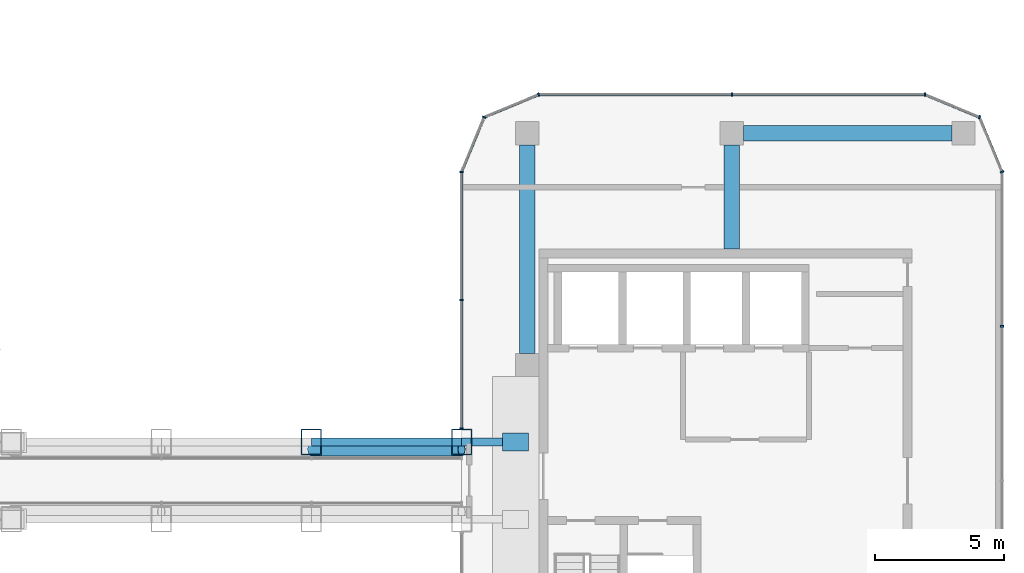
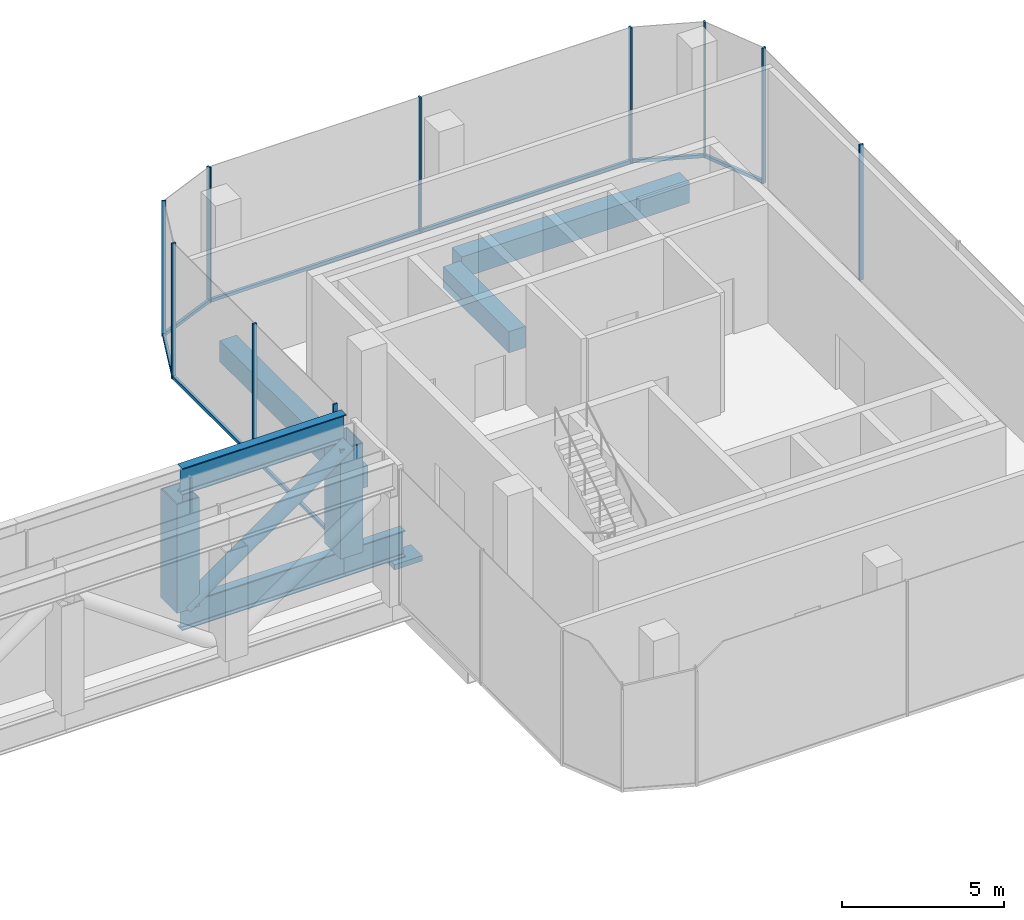
# One storey, part 12 of 23: 23 members, 3 beams, 7 elements without a shape of their own.
"""IFC4 building model written with IfcOpenShell, lengths in metres."""

from ifc_helpers import new_model, si_unit, direction, frame, origin, origin_2d, place, context, subcontext, project, spatial, rectangle, hollow_rectangle, hollow_circle, i_section, extrude, material, layer, layer_set, material_profile, profile_set, type_object, element, aggregate, save


model = new_model("IFC4")

# Units and contexts
model_context = context("Model", 3, precision=1e-05, world=origin(), true_north=direction((0.0, 1.0)))
body_context = subcontext(model_context, "Body", "Model", "MODEL_VIEW")
ifc_project = project(units=[si_unit("LENGTHUNIT", "METRE"), si_unit("AREAUNIT", "SQUARE_METRE"), si_unit("VOLUMEUNIT", "CUBIC_METRE"), si_unit("PLANEANGLEUNIT", "RADIAN"), si_unit("MASSUNIT", "GRAM", prefix="KILO")], contexts=[model_context])

# Site, building, storey
site_placement = place(None, origin())
site = spatial("IfcSite", under=ifc_project, at=site_placement, CompositionType="ELEMENT")
building_placement = place(site_placement, origin())
building = spatial("IfcBuilding", under=site, at=building_placement, Name="Plateau Cross Towers", CompositionType="ELEMENT")
storey_placement = place(building_placement, frame((0.0, 0.0, 123.800048828125)))
storey = spatial("IfcBuildingStorey", under=building, at=storey_placement, Name="L32", CompositionType="ELEMENT", Elevation=123.800048828125)

# Beam
ifc_material_1 = material(Name="Concrete C60/75", Category="concrete")
ifc_material_profile_1 = material_profile(ifc_material_1, rectangle(XDim=0.60009765625, YDim=0.800048828125, at=origin_2d()), Name="RC 600x800")
ifc_profile_set_1 = profile_set([ifc_material_profile_1], Name="Concrete C60/75")
beam_type_1 = type_object("IfcBeamType", Name="Core beam RC 600x800", PredefinedType="BEAM", material=ifc_profile_set_1)
beam_placement = place(storey_placement, frame((82.5, 18.0, -0.699951171875), z_axis=(0.0, 1.0, 0.0), x_axis=(-1.0, 0.0, 0.0)))
element("IfcBeam", 1, at=beam_placement, inside=storey, type_object=beam_type_1, Name="B-CB02@L32", PredefinedType="BEAM", context=body_context, shape_type="SweptSolid", body=[
    extrude(rectangle(XDim=0.60009765625, YDim=0.800048828125, at=origin_2d()), origin(), (0.0, 0.0, 1.0), 4.050048828125),
])

# Curtain wall, member
ifc_material_2 = material(Name="Dark low-iron glass", Category="glass")
ifc_layer_1 = layer(ifc_material_2, 0.239990234375)
ifc_layer_set_1 = layer_set([ifc_layer_1], Name="Dark low-iron glass")
curtain_wall_type = type_object("IfcCurtainWallType", Name="Curtain wall office unitised CW-F", PredefinedType="NOTDEFINED", material=ifc_layer_set_1)
curtain_wall_1_placement = place(storey_placement, origin())
curtain_wall_1 = element("IfcCurtainWall", 2, at=curtain_wall_1_placement, inside=storey, type_object=curtain_wall_type, Name="ENV/B/L32/B930_-30", PredefinedType="NOTDEFINED")
ifc_material_3 = material(Name="Black anodised aluminium", Category="aluminium")
ifc_material_profile_2 = material_profile(ifc_material_3, rectangle(XDim=0.06005859375, YDim=0.139892578125, at=origin_2d()), Name="MULLION 60x140")
ifc_profile_set_2 = profile_set([ifc_material_profile_2], Name="Black anodised aluminium")
member_type_1 = type_object("IfcMemberType", Name="Mullion 60x140 office unitised", PredefinedType="MULLION", material=ifc_profile_set_2)
member_1_placement = place(storey_placement, frame((93.0, 15.0, -0.300048828125), z_axis=(0.0, 0.0, 1.0), x_axis=(0.0, 1.0, 0.0)))
member_1 = element("IfcMember", 3, at=member_1_placement, type_object=member_type_1, Name="CW-F mullion 4", PredefinedType="MULLION", context=body_context, shape_type="SweptSolid", body=[
    extrude(rectangle(XDim=0.06005859375, YDim=0.139892578125, at=origin_2d()), origin(), (0.0, 0.0, 1.0), 5.10009765625),
])
aggregate(curtain_wall_1, [member_1])

curtain_wall_2_placement = place(storey_placement, origin())
curtain_wall_2 = element("IfcCurtainWall", 4, at=curtain_wall_2_placement, inside=storey, type_object=curtain_wall_type, Name="ENV/B/L32/B930_210", PredefinedType="NOTDEFINED")
member_2_placement = place(storey_placement, frame((93.0, 21.0, -0.300048828125), z_axis=(0.0, 0.0, 1.0), x_axis=(-0.382683612978, 0.923879457699, 0.0)))
member_2 = element("IfcMember", 5, at=member_2_placement, type_object=member_type_1, Name="CW-F mullion 1", PredefinedType="MULLION", context=body_context, shape_type="SweptSolid", body=[
    extrude(rectangle(XDim=0.06005859375, YDim=0.139892578125, at=origin_2d()), origin(), (0.0, 0.0, 1.0), 5.10009765625),
])

curtain_wall_3_placement = place(storey_placement, origin())
curtain_wall_3 = element("IfcCurtainWall", 6, at=curtain_wall_3_placement, inside=storey, type_object=curtain_wall_type, Name="ENV/B/L32/B921_231", PredefinedType="NOTDEFINED")
member_3_placement = place(storey_placement, frame((92.121337890625, 23.121337890625, -0.300048828125), z_axis=(0.0, 0.0, 1.0), x_axis=(-0.923879457699, 0.382683612978, 0.0)))
member_3 = element("IfcMember", 7, at=member_3_placement, type_object=member_type_1, Name="CW-F mullion 1", PredefinedType="MULLION", context=body_context, shape_type="SweptSolid", body=[
    extrude(rectangle(XDim=0.06005859375, YDim=0.139892578125, at=origin_2d()), origin(), (0.0, 0.0, 1.0), 5.10009765625),
])

# Curtain wall, members
curtain_wall_4_placement = place(storey_placement, origin())
curtain_wall_4 = element("IfcCurtainWall", 8, at=curtain_wall_4_placement, inside=storey, type_object=curtain_wall_type, Name="ENV/B/L32/B900_240", PredefinedType="NOTDEFINED")
member_4_placement = place(storey_placement, frame((90.0, 24.0, -0.300048828125), z_axis=(0.0, 0.0, 1.0), x_axis=(-1.0, 0.0, 0.0)))
member_4 = element("IfcMember", 9, at=member_4_placement, type_object=member_type_1, Name="CW-F mullion 1", PredefinedType="MULLION", context=body_context, shape_type="SweptSolid", body=[
    extrude(rectangle(XDim=0.06005859375, YDim=0.139892578125, at=origin_2d()), origin(), (0.0, 0.0, 1.0), 5.10009765625),
])
member_5_placement = place(storey_placement, frame((82.5, 24.0, -0.300048828125), z_axis=(0.0, 0.0, 1.0), x_axis=(-1.0, 0.0, 0.0)))
member_5 = element("IfcMember", 10, at=member_5_placement, type_object=member_type_1, Name="CW-F mullion 2", PredefinedType="MULLION", context=body_context, shape_type="SweptSolid", body=[
    extrude(rectangle(XDim=0.06005859375, YDim=0.139892578125, at=origin_2d()), origin(), (0.0, 0.0, 1.0), 5.10009765625),
])

# Curtain wall, member
curtain_wall_5_placement = place(storey_placement, origin())
curtain_wall_5 = element("IfcCurtainWall", 11, at=curtain_wall_5_placement, inside=storey, type_object=curtain_wall_type, Name="ENV/B/L32/B750_240", PredefinedType="NOTDEFINED")
member_6_placement = place(storey_placement, frame((75.0, 24.0, -0.300048828125), z_axis=(0.0, 0.0, 1.0), x_axis=(-0.923879457699, -0.382683612978, 0.0)))
member_6 = element("IfcMember", 12, at=member_6_placement, type_object=member_type_1, Name="CW-F mullion 1", PredefinedType="MULLION", context=body_context, shape_type="SweptSolid", body=[
    extrude(rectangle(XDim=0.06005859375, YDim=0.139892578125, at=origin_2d()), origin(), (0.0, 0.0, 1.0), 5.10009765625),
])

curtain_wall_6_placement = place(storey_placement, origin())
curtain_wall_6 = element("IfcCurtainWall", 13, at=curtain_wall_6_placement, inside=storey, type_object=curtain_wall_type, Name="ENV/B/L32/B729_231", PredefinedType="NOTDEFINED")
member_7_placement = place(storey_placement, frame((72.878662109375, 23.121337890625, -0.300048828125), z_axis=(0.0, 0.0, 1.0), x_axis=(-0.382683612978, -0.923879457699, 0.0)))
member_7 = element("IfcMember", 14, at=member_7_placement, type_object=member_type_1, Name="CW-F mullion 1", PredefinedType="MULLION", context=body_context, shape_type="SweptSolid", body=[
    extrude(rectangle(XDim=0.06005859375, YDim=0.139892578125, at=origin_2d()), origin(), (0.0, 0.0, 1.0), 5.10009765625),
])

# Curtain wall, members
curtain_wall_7_placement = place(storey_placement, origin())
curtain_wall_7 = element("IfcCurtainWall", 15, at=curtain_wall_7_placement, inside=storey, type_object=curtain_wall_type, Name="ENV/B/L32/B720_210", PredefinedType="NOTDEFINED")
member_8_placement = place(storey_placement, frame((72.0, 21.0, -0.300048828125), z_axis=(0.0, 0.0, 1.0), x_axis=(0.0, -1.0, 0.0)))
member_8 = element("IfcMember", 16, at=member_8_placement, type_object=member_type_1, Name="CW-F mullion 1", PredefinedType="MULLION", context=body_context, shape_type="SweptSolid", body=[
    extrude(rectangle(XDim=0.06005859375, YDim=0.139892578125, at=origin_2d()), origin(), (0.0, 0.0, 1.0), 5.10009765625),
])
member_9_placement = place(storey_placement, frame((72.0, 16.017578125, -0.300048828125), z_axis=(0.0, 0.0, 1.0), x_axis=(0.0, -1.0, 0.0)))
member_9 = element("IfcMember", 17, at=member_9_placement, type_object=member_type_1, Name="CW-F mullion 2", PredefinedType="MULLION", context=body_context, shape_type="SweptSolid", body=[
    extrude(rectangle(XDim=0.06005859375, YDim=0.139892578125, at=origin_2d()), origin(), (0.0, 0.0, 1.0), 5.10009765625),
])
member_10_placement = place(storey_placement, frame((72.0, 11.034912109375, -0.300048828125), z_axis=(0.0, 0.0, 1.0), x_axis=(0.0, -1.0, 0.0)))
member_10 = element("IfcMember", 18, at=member_10_placement, type_object=member_type_1, Name="CW-F mullion 3", PredefinedType="MULLION", context=body_context, shape_type="SweptSolid", body=[
    extrude(rectangle(XDim=0.06005859375, YDim=0.139892578125, at=origin_2d()), origin(), (0.0, 0.0, 1.0), 5.10009765625),
])

# Beams
ifc_material_profile_3 = material_profile(ifc_material_1, rectangle(XDim=0.60009765625, YDim=0.800048828125, at=origin_2d()), Name="RC 600x800")
ifc_profile_set_3 = profile_set([ifc_material_profile_3], Name="Concrete C60/75")
beam_type_2 = type_object("IfcBeamType", Name="Ring beam RC 600x800", PredefinedType="BEAM", material=ifc_profile_set_3)
for number, where, z_axis, x_axis, name in (
    (19, (91.050048828125, 22.5, -0.699951171875), (-1.0, 0.0, 0.0), (0.0, -1.0, 0.0), "B-RB02@L32"),
    (20, (74.550048828125, 22.050048828125, -0.699951171875), (0.0, -1.0, 0.0), (1.0, 0.0, 0.0), "B-RB03@L32"),
):
    element("IfcBeam", number, at=place(storey_placement, frame(where, z_axis=z_axis, x_axis=x_axis)), inside=storey, type_object=beam_type_2, Name=name, PredefinedType="BEAM", context=body_context, shape_type="SweptSolid", body=[
        extrude(rectangle(XDim=0.60009765625, YDim=0.800048828125, at=origin_2d()), origin(), (0.0, 0.0, 1.0), 8.10009765625),
    ])

# Members
ifc_material_4 = material(Name="Steel S355", Category="steel")
ifc_material_profile_4 = material_profile(ifc_material_4, i_section(OverallWidth=0.300048828125, OverallDepth=1.0, WebThickness=0.01904296875, FlangeThickness=0.035888671875, FilletRadius=0.030029296875, at=origin_2d()), Name="HE 1000 B")
ifc_profile_set_4 = profile_set([ifc_material_profile_4], Name="Steel S355")
member_type_2 = type_object("IfcMemberType", Name="Sky garden bridge truss chord HE 1000 B", PredefinedType="CHORD", material=ifc_profile_set_4)
for number, where, z_axis, x_axis, name in (
    (21, (66.166748046875, 10.5, -0.800048828125), (1.0, 0.0, 0.0), (0.0, 1.0, 0.0), "BR-S-T2-B3"),
    (22, (66.166748046875, 10.5, 4.300048828125), (1.0, 0.0, 0.0), (0.0, 1.0, 0.0), "BR-S-T2-T3"),
):
    element("IfcMember", number, at=place(storey_placement, frame(where, z_axis=z_axis, x_axis=x_axis)), inside=storey, type_object=member_type_2, Name=name, PredefinedType="CHORD", context=body_context, shape_type="SweptSolid", body=[
        extrude(i_section(OverallWidth=0.300048828125, OverallDepth=1.0, WebThickness=0.01904296875, FlangeThickness=0.035888671875, FilletRadius=0.030029296875, at=origin_2d()), origin(), (0.0, 0.0, 1.0), 5.833251953125),
    ])
member_11_placement = place(storey_placement, frame((72.0, 10.5, -0.800048828125), z_axis=(1.0, 0.0, 0.0), x_axis=(0.0, 1.0, 0.0)))
element("IfcMember", 23, at=member_11_placement, inside=storey, type_object=member_type_2, Name="BR-S-T2-SEAT", PredefinedType="CHORD", context=body_context, shape_type="SweptSolid", body=[
    extrude(i_section(OverallWidth=0.300048828125, OverallDepth=1.0, WebThickness=0.01904296875, FlangeThickness=0.035888671875, FilletRadius=0.030029296875, at=origin_2d()), origin(), (0.0, 0.0, 1.0), 2.10009765625),
])
ifc_material_profile_5 = material_profile(ifc_material_4, hollow_circle(Radius=0.25390625, WallThickness=0.02490234375, at=origin_2d()), Name="CHS 508x25")
ifc_profile_set_5 = profile_set([ifc_material_profile_5], Name="Steel S355")
member_type_3 = type_object("IfcMemberType", Name="Sky garden bridge truss diagonal CHS 508x25", PredefinedType="BRACE", material=ifc_profile_set_5)
member_12_placement = place(storey_placement, frame((66.166748046875, 10.214111328125, -0.300048828125), z_axis=(0.818122036637, 0.0, 0.575044635805), x_axis=(0.0, 1.0, 0.0)))
element("IfcMember", 24, at=member_12_placement, inside=storey, type_object=member_type_3, Name="BR-S-T2-D3", PredefinedType="BRACE", context=body_context, shape_type="SweptSolid", body=[
    extrude(hollow_circle(Radius=0.25390625, WallThickness=0.02490234375, at=origin_2d()), origin(), (0.0, 0.0, 1.0), 7.130126953125),
])
ifc_material_profile_6 = material_profile(ifc_material_4, hollow_rectangle(XDim=0.800048828125, YDim=1.0, WallThickness=0.0400390625, at=origin_2d()), Name="BOX 1000x800x40")
ifc_profile_set_6 = profile_set([ifc_material_profile_6], Name="Steel S355")
member_type_4 = type_object("IfcMemberType", Name="Sky garden bridge truss post BOX 1000x800x40", PredefinedType="POST", material=ifc_profile_set_6)
for number, where, z_axis, x_axis, name in (
    (25, (66.166748046875, 10.5, -0.300048828125), (0.0, 0.0, 1.0), (1.0, 0.0, 0.0), "BR-S-T2-V3"),
    (26, (72.0, 10.5, -0.300048828125), (0.0, 0.0, 1.0), (1.0, 0.0, 0.0), "BR-S-T2-V4"),
):
    element("IfcMember", number, at=place(storey_placement, frame(where, z_axis=z_axis, x_axis=x_axis)), inside=storey, type_object=member_type_4, Name=name, PredefinedType="POST", context=body_context, shape_type="SweptSolid", body=[
        extrude(hollow_rectangle(XDim=0.800048828125, YDim=1.0, WallThickness=0.0400390625, at=origin_2d()), origin(), (0.0, 0.0, 1.0), 4.10009765625),
    ])
ifc_layer_2 = layer(ifc_material_4, 0.199951171875)
ifc_layer_set_2 = layer_set([ifc_layer_2], Name="Steel S355")
member_type_5 = type_object("IfcMemberType", Name="Sliding bridge bearing BRG 1000x700", PredefinedType="USERDEFINED", material=ifc_layer_set_2)
member_13_placement = place(storey_placement, frame((74.10009765625, 10.5, -1.5), z_axis=(0.0, 0.0, 1.0), x_axis=(1.0, 0.0, 0.0)))
element("IfcMember", 27, at=member_13_placement, inside=storey, type_object=member_type_5, Name="Sky garden bridge sliding bearing 2", ObjectType="BEARING", PredefinedType="USERDEFINED", context=body_context, shape_type="SweptSolid", body=[
    extrude(rectangle(XDim=1.0, YDim=0.699951171875, at=origin_2d()), origin(), (0.0, 0.0, 1.0), 0.199951171875),
])

# Member
ifc_material_profile_7 = material_profile(ifc_material_3, rectangle(XDim=0.10009765625, YDim=0.1201171875, at=origin_2d()), Name="TRANSOM 100x120")
ifc_profile_set_7 = profile_set([ifc_material_profile_7], Name="Black anodised aluminium")
member_type_6 = type_object("IfcMemberType", Name="Transom 100x120 office unitised", PredefinedType="USERDEFINED", material=ifc_profile_set_7)
member_14_placement = place(storey_placement, frame((93.0, 21.0, -0.239990234375), z_axis=(-0.382674207535, 0.923883353507, 0.0), x_axis=(-0.923883353507, -0.382674207535, 0.0)))
member_14 = element("IfcMember", 28, at=member_14_placement, type_object=member_type_6, Name="CW-F transom", ObjectType="TRANSOM", PredefinedType="USERDEFINED", context=body_context, shape_type="SweptSolid", body=[
    extrude(rectangle(XDim=0.10009765625, YDim=0.1201171875, at=origin_2d()), origin(), (0.0, 0.0, 1.0), 2.296142578125),
])

aggregate(curtain_wall_2, [member_2, member_14])

member_15_placement = place(storey_placement, frame((92.121337890625, 23.121337890625, -0.239990234375), z_axis=(-0.923883353507, 0.382674207535, 0.0), x_axis=(-0.382674207535, -0.923883353507, 0.0)))
member_15 = element("IfcMember", 29, at=member_15_placement, type_object=member_type_6, Name="CW-F transom", ObjectType="TRANSOM", PredefinedType="USERDEFINED", context=body_context, shape_type="SweptSolid", body=[
    extrude(rectangle(XDim=0.10009765625, YDim=0.1201171875, at=origin_2d()), origin(), (0.0, 0.0, 1.0), 2.296142578125),
])

aggregate(curtain_wall_3, [member_3, member_15])

member_16_placement = place(storey_placement, frame((90.0, 24.0, -0.239990234375), z_axis=(-1.0, 0.0, 0.0), x_axis=(0.0, -1.0, 0.0)))
member_16 = element("IfcMember", 30, at=member_16_placement, type_object=member_type_6, Name="CW-F transom", ObjectType="TRANSOM", PredefinedType="USERDEFINED", context=body_context, shape_type="SweptSolid", body=[
    extrude(rectangle(XDim=0.10009765625, YDim=0.1201171875, at=origin_2d()), origin(), (0.0, 0.0, 1.0), 15.0),
])

aggregate(curtain_wall_4, [member_4, member_5, member_16])

member_17_placement = place(storey_placement, frame((75.0, 24.0, -0.239990234375), z_axis=(-0.923883353507, -0.382674207535, 0.0), x_axis=(0.382674207535, -0.923883353507, 0.0)))
member_17 = element("IfcMember", 31, at=member_17_placement, type_object=member_type_6, Name="CW-F transom", ObjectType="TRANSOM", PredefinedType="USERDEFINED", context=body_context, shape_type="SweptSolid", body=[
    extrude(rectangle(XDim=0.10009765625, YDim=0.1201171875, at=origin_2d()), origin(), (0.0, 0.0, 1.0), 2.296142578125),
])

aggregate(curtain_wall_5, [member_6, member_17])

member_18_placement = place(storey_placement, frame((72.878662109375, 23.121337890625, -0.239990234375), z_axis=(-0.382674207535, -0.923883353507, 0.0), x_axis=(0.923883353507, -0.382674207535, 0.0)))
member_18 = element("IfcMember", 32, at=member_18_placement, type_object=member_type_6, Name="CW-F transom", ObjectType="TRANSOM", PredefinedType="USERDEFINED", context=body_context, shape_type="SweptSolid", body=[
    extrude(rectangle(XDim=0.10009765625, YDim=0.1201171875, at=origin_2d()), origin(), (0.0, 0.0, 1.0), 2.296142578125),
])

aggregate(curtain_wall_6, [member_7, member_18])

member_19_placement = place(storey_placement, frame((72.0, 21.0, -0.239990234375), z_axis=(0.0, -1.0, 0.0), x_axis=(1.0, 0.0, 0.0)))
member_19 = element("IfcMember", 33, at=member_19_placement, type_object=member_type_6, Name="CW-F transom", ObjectType="TRANSOM", PredefinedType="USERDEFINED", context=body_context, shape_type="SweptSolid", body=[
    extrude(rectangle(XDim=0.10009765625, YDim=0.1201171875, at=origin_2d()), origin(), (0.0, 0.0, 1.0), 9.965087890625),
])

aggregate(curtain_wall_7, [member_8, member_9, member_10, member_19])

save(model, "model.ifc")
